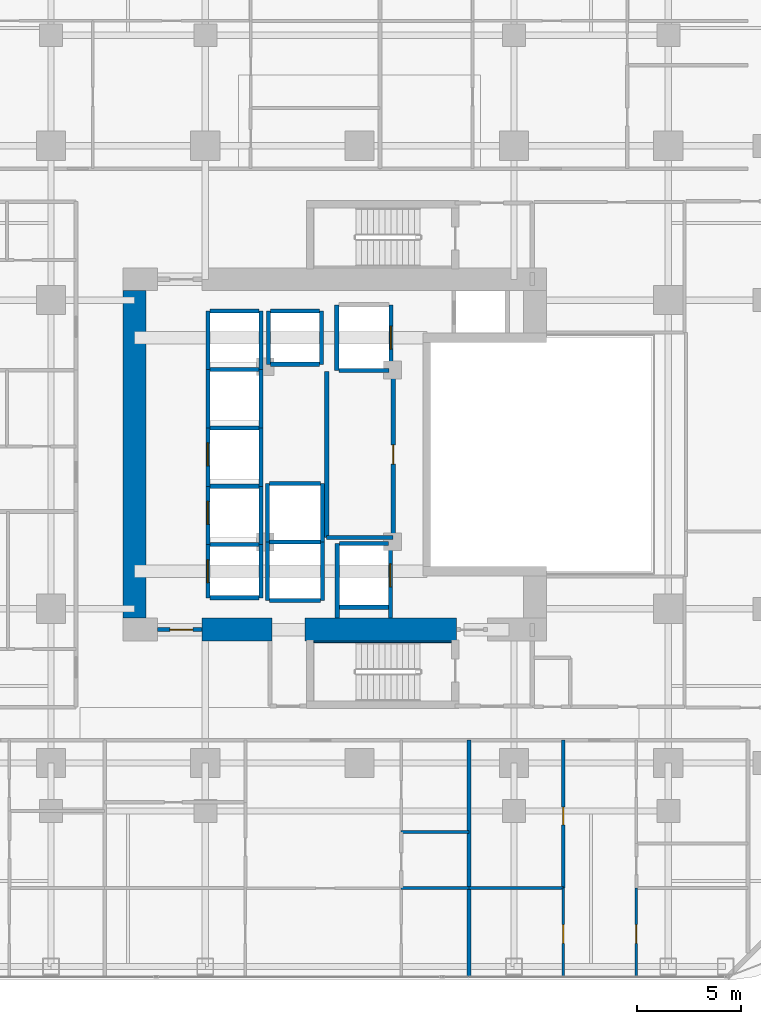
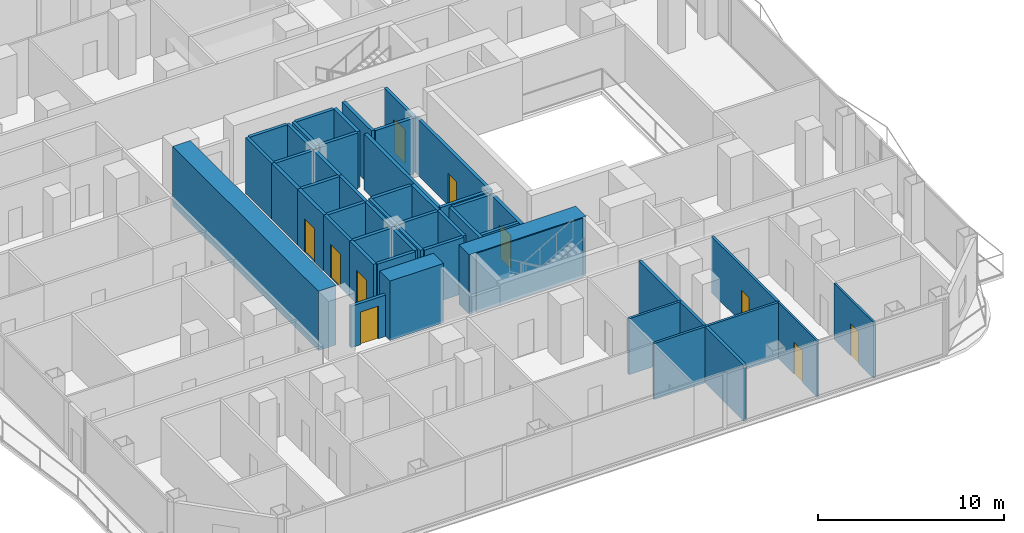
# One storey, part 21 of 29: 49 walls, 10 doors, 10 openings.
"""IFC4 building model written with IfcOpenShell, lengths in metres."""

from ifc_helpers import new_model, si_unit, direction, frame, frame_2d, origin, place, context, subcontext, project, spatial, rectangle, extrude, material, layer, layer_set, type_object, element, fill, save


model = new_model("IFC4")

# Units and contexts
model_context = context("Model", 3, precision=1e-05, world=origin(), true_north=direction((0.0, 1.0)))
body_context = subcontext(model_context, "Body", "Model", "MODEL_VIEW")
ifc_project = project(units=[si_unit("LENGTHUNIT", "METRE"), si_unit("AREAUNIT", "SQUARE_METRE"), si_unit("VOLUMEUNIT", "CUBIC_METRE"), si_unit("PLANEANGLEUNIT", "RADIAN"), si_unit("MASSUNIT", "GRAM", prefix="KILO")], contexts=[model_context])

# Site, building, storey
site_placement = place(None, origin())
site = spatial("IfcSite", under=ifc_project, at=site_placement, CompositionType="ELEMENT")
building_placement = place(site_placement, origin())
building = spatial("IfcBuilding", under=site, at=building_placement, Name="Khorvyn Point Tower", CompositionType="ELEMENT")
storey_placement = place(building_placement, frame((0.0, 0.0, 61.800048828125)))
storey = spatial("IfcBuildingStorey", under=building, at=storey_placement, Name="L16", CompositionType="ELEMENT", Elevation=61.800048828125)

# Wall
ifc_material_1 = material(Name="Double acoustic gypsum on twin steel stud", Category="steel")
ifc_layer_1 = layer(ifc_material_1, 0.179931640625)
ifc_layer_set_1 = layer_set([ifc_layer_1], Name="Acoustic Double-Stud Apartment Demising Wall 180")
wall_type_1 = type_object("IfcWallType", Name="Acoustic Double-Stud Apartment Demising Wall 180", PredefinedType="PARTITIONING", material=ifc_layer_set_1)
wall_1_placement = place(storey_placement, frame((5.241943359375, -25.030029296875, 0.0), z_axis=(0.0, 0.0, 1.0), x_axis=(0.0, 1.0, 0.0)))
element("IfcWall", 1, at=wall_1_placement, inside=storey, type_object=wall_type_1, Name="Wall", PredefinedType="PARTITIONING", context=body_context, shape_type="SweptSolid", body=[
    extrude(rectangle(XDim=11.330078125, YDim=0.179931640625, at=frame_2d((5.6650390625, 0.0))), origin(), (0.0, 0.0, 1.0), 3.679931640625),
])

# Wall, opening, door
ifc_material_2 = material(Name="Concrete C40/50", Category="concrete")
ifc_layer_2 = layer(ifc_material_2, 0.199951171875)
ifc_layer_set_2 = layer_set([ifc_layer_2], Name="Concrete C40/50 Fire-Lobby Compartment Wall 200")
wall_type_2 = type_object("IfcWallType", Name="Concrete C40/50 Fire-Lobby Compartment Wall 200", PredefinedType="SOLIDWALL", material=ifc_layer_set_2)
wall_2_placement = place(storey_placement, frame((-9.699951171875, -8.39990234375, 0.0), z_axis=(0.0, 0.0, 1.0), x_axis=(1.0, 0.0, 0.0)))
wall_2 = element("IfcWall", 2, at=wall_2_placement, inside=storey, type_object=wall_type_2, Name="Wall", PredefinedType="SOLIDWALL", context=body_context, shape_type="SweptSolid", body=[
    extrude(rectangle(XDim=2.14990234375, YDim=0.199951171875, at=frame_2d((1.074951171875, 0.0))), origin(), (0.0, 0.0, 1.0), 2.719970703125),
])
opening_1_placement = place(wall_2_placement, frame((0.597900390625, 0.0, 0.0)))
opening_1 = element("IfcOpeningElement", 3, at=opening_1_placement, cuts=wall_2, Name="Opening ID-FL90", PredefinedType="OPENING", context=body_context, shape_type="SweptSolid", body=[
    extrude(rectangle(XDim=1.10009765625, YDim=2.14990234375, at=frame_2d((0.550048828125, 1.074951171875))), frame((0.0, 0.10986328125, 0.0), z_axis=(0.0, -1.0, 0.0), x_axis=(1.0, 0.0, 0.0)), (0.0, 0.0, 1.0), 0.219970703125),
])
ifc_material_3 = material(Name="Galvanised powder-coated steel", Category="steel")
door_type_1 = type_object("IfcDoorType", Name="Fire-Rated Steel Lobby and Stair Door 1100x2150", OperationType="NOTDEFINED", PredefinedType="DOOR", material=ifc_material_3)
door_1_placement = place(opening_1_placement, origin())
door_1 = element("IfcDoor", 4, at=door_1_placement, inside=storey, type_object=door_type_1, Name="Door", OperationType="SINGLE_SWING_RIGHT", OverallHeight=2.14990234375, OverallWidth=1.10009765625, PredefinedType="DOOR", context=body_context, shape_type="SweptSolid", body=[
    extrude(rectangle(XDim=1.10009765625, YDim=2.14990234375, at=frame_2d((0.550048828125, 1.074951171875))), frame((0.0, 0.02490234375, 0.0), z_axis=(0.0, -1.0, 0.0), x_axis=(1.0, 0.0, 0.0)), (0.0, 0.0, 1.0), 0.050048828125),
])
fill(opening_1, door_1)

wall_3_placement = place(storey_placement, frame((1.610107421875, -3.97998046875, 0.0), z_axis=(0.0, 0.0, 1.0), x_axis=(0.0, 1.0, 0.0)))
wall_3 = element("IfcWall", 5, at=wall_3_placement, inside=storey, type_object=wall_type_2, Name="Wall", PredefinedType="SOLIDWALL", context=body_context, shape_type="SweptSolid", body=[
    extrude(rectangle(XDim=7.9599609375, YDim=0.199951171875, at=frame_2d((3.97998046875, 0.0))), origin(), (0.0, 0.0, 1.0), 3.679931640625),
])
opening_2_placement = place(wall_3_placement, frame((3.52001953125, 0.0, 0.0)))
opening_2 = element("IfcOpeningElement", 6, at=opening_2_placement, cuts=wall_3, Name="Opening ID-RS60", PredefinedType="OPENING", context=body_context, shape_type="SweptSolid", body=[
    extrude(rectangle(XDim=0.919921875, YDim=2.10009765625, at=frame_2d((0.4599609375, 1.050048828125))), frame((0.0, 0.10986328125, 0.0), z_axis=(0.0, -1.0, 0.0), x_axis=(1.0, 0.0, 0.0)), (0.0, 0.0, 1.0), 0.219970703125),
])
door_type_2 = type_object("IfcDoorType", Name="Fire-Rated Riser and Store Steel Door 920x2100", OperationType="NOTDEFINED", PredefinedType="DOOR", material=ifc_material_3)
door_2_placement = place(opening_2_placement, origin())
door_2 = element("IfcDoor", 7, at=door_2_placement, inside=storey, type_object=door_type_2, Name="Door", OperationType="SINGLE_SWING_LEFT", OverallHeight=2.10009765625, OverallWidth=0.919921875, PredefinedType="DOOR", context=body_context, shape_type="SweptSolid", body=[
    extrude(rectangle(XDim=0.919921875, YDim=2.10009765625, at=frame_2d((0.4599609375, 1.050048828125))), frame((0.0, 0.02490234375, 0.0), z_axis=(0.0, -1.0, 0.0), x_axis=(1.0, 0.0, 0.0)), (0.0, 0.0, 1.0), 0.050048828125),
])
fill(opening_2, door_2)

# Walls
wall_4_placement = place(storey_placement, frame((-1.580078125, -3.97998046875, 0.0), z_axis=(0.0, 0.0, 1.0), x_axis=(0.0, 1.0, 0.0)))
element("IfcWall", 8, at=wall_4_placement, inside=storey, type_object=wall_type_2, Name="Wall", PredefinedType="SOLIDWALL", context=body_context, shape_type="SweptSolid", body=[
    extrude(rectangle(XDim=7.9599609375, YDim=0.199951171875, at=frame_2d((3.97998046875, 0.0))), origin(), (0.0, 0.0, 1.0), 3.679931640625),
])
wall_5_placement = place(storey_placement, frame((-1.580078125, -3.97998046875, 0.0), z_axis=(0.0, 0.0, 1.0), x_axis=(1.0, 0.0, 0.0)))
element("IfcWall", 9, at=wall_5_placement, inside=storey, type_object=wall_type_2, Name="Wall", PredefinedType="SOLIDWALL", context=body_context, shape_type="SweptSolid", body=[
    extrude(rectangle(XDim=3.190185546875, YDim=0.199951171875, at=frame_2d((1.59521484375, 0.0))), origin(), (0.0, 0.0, 1.0), 3.679931640625),
])
ifc_layer_3 = layer(ifc_material_2, 0.25)
ifc_layer_set_3 = layer_set([ifc_layer_3], Name="Concrete C40/50 Stair Inner Cheek Structural Wall 250")
wall_type_3 = type_object("IfcWallType", Name="Concrete C40/50 Stair Inner Cheek Structural Wall 250", PredefinedType="SHEAR", material=ifc_layer_set_3)
wall_6_placement = place(storey_placement, frame((-2.199951171875, -8.987548828125, 0.0), z_axis=(0.0, 0.0, 1.0), x_axis=(1.0, 0.0, 0.0)))
element("IfcWall", 10, at=wall_6_placement, inside=storey, type_object=wall_type_3, Name="Wall", PredefinedType="SHEAR", context=body_context, shape_type="SweptSolid", body=[
    extrude(rectangle(XDim=6.599853515625, YDim=0.074951171875, at=frame_2d((3.2998046875, 0.0))), origin(), (0.0, 0.0, 1.0), 3.89990234375),
])

# Wall, opening, door
ifc_layer_4 = layer(ifc_material_2, 0.199951171875)
ifc_layer_set_4 = layer_set([ifc_layer_4], Name="Concrete C40/50 Structural Hoistway and Stair Shaft Wall 200")
wall_type_4 = type_object("IfcWallType", Name="Concrete C40/50 Structural Hoistway and Stair Shaft Wall 200", PredefinedType="SHEAR", material=ifc_layer_set_4)
wall_7_placement = place(storey_placement, frame((-7.27490234375, -6.875, 0.0), z_axis=(0.0, 0.0, 1.0), x_axis=(0.0, 1.0, 0.0)))
wall_7 = element("IfcWall", 11, at=wall_7_placement, inside=storey, type_object=wall_type_4, Name="Wall", PredefinedType="SHEAR", context=body_context, shape_type="SweptSolid", body=[
    extrude(rectangle(XDim=2.550048828125, YDim=0.199951171875, at=frame_2d((1.27490234375, 0.0))), origin(), (0.0, 0.0, 1.0), 3.679931640625),
])
opening_3_placement = place(wall_7_placement, frame((0.72509765625, 0.0, 0.0)))
opening_3 = element("IfcOpeningElement", 12, at=opening_3_placement, cuts=wall_7, Name="Opening LD-1122", PredefinedType="OPENING", context=body_context, shape_type="SweptSolid", body=[
    extrude(rectangle(XDim=1.10009765625, YDim=2.199951171875, at=frame_2d((0.550048828125, 1.10009765625))), frame((0.0, 0.10986328125, 0.0), z_axis=(0.0, -1.0, 0.0), x_axis=(1.0, 0.0, 0.0)), (0.0, 0.0, 1.0), 0.219970703125),
])
ifc_material_4 = material(Name="Stainless steel 1.4301", Category="steel")
door_type_3 = type_object("IfcDoorType", Name="Stainless Steel Automatic Sliding Lift Landing Door 1100x2200", OperationType="SLIDING_TO_LEFT", PredefinedType="DOOR", material=ifc_material_4)
door_3_placement = place(opening_3_placement, origin())
door_3 = element("IfcDoor", 13, at=door_3_placement, inside=storey, type_object=door_type_3, Name="L16 RL-01 Sliding Lift Landing Door", OperationType="SLIDING_TO_LEFT", OverallHeight=2.199951171875, OverallWidth=1.10009765625, PredefinedType="DOOR", context=body_context, shape_type="SweptSolid", body=[
    extrude(rectangle(XDim=1.10009765625, YDim=2.199951171875, at=frame_2d((0.550048828125, 1.10009765625))), frame((0.0, 0.02490234375, 0.0), z_axis=(0.0, -1.0, 0.0), x_axis=(1.0, 0.0, 0.0)), (0.0, 0.0, 1.0), 0.050048828125),
])
fill(opening_3, door_3)

# Walls
wall_8_placement = place(storey_placement, frame((-4.72509765625, -6.875, 0.0), z_axis=(0.0, 0.0, 1.0), x_axis=(0.0, 1.0, 0.0)))
element("IfcWall", 14, at=wall_8_placement, inside=storey, type_object=wall_type_4, Name="Wall", PredefinedType="SHEAR", context=body_context, shape_type="SweptSolid", body=[
    extrude(rectangle(XDim=2.550048828125, YDim=0.199951171875, at=frame_2d((1.27490234375, 0.0))), origin(), (0.0, 0.0, 1.0), 3.679931640625),
])
for number, where, z_axis, x_axis, name in (
    (15, (-7.175048828125, -6.875, 0.0), (0.0, 0.0, 1.0), (1.0, 0.0, 0.0), "Wall"),
    (16, (-7.175048828125, -4.324951171875, 0.0), (0.0, 0.0, 1.0), (1.0, 0.0, 0.0), "Wall"),
):
    element("IfcWall", number, at=place(storey_placement, frame(where, z_axis=z_axis, x_axis=x_axis)), inside=storey, type_object=wall_type_4, Name=name, PredefinedType="SHEAR", context=body_context, shape_type="SweptSolid", body=[
        extrude(rectangle(XDim=2.35009765625, YDim=0.199951171875, at=frame_2d((1.175048828125, 0.0))), origin(), (0.0, 0.0, 1.0), 3.679931640625),
    ])

# Wall, opening, door
wall_9_placement = place(storey_placement, frame((-7.27490234375, -4.324951171875, 0.0), z_axis=(0.0, 0.0, 1.0), x_axis=(0.0, 1.0, 0.0)))
wall_9 = element("IfcWall", 17, at=wall_9_placement, inside=storey, type_object=wall_type_4, Name="Wall", PredefinedType="SHEAR", context=body_context, shape_type="SweptSolid", body=[
    extrude(rectangle(XDim=2.800048828125, YDim=0.199951171875, at=frame_2d((1.39990234375, 0.0))), origin(), (0.0, 0.0, 1.0), 3.679931640625),
])
opening_4_placement = place(wall_9_placement, frame((0.97509765625, 0.0, 0.0)))
opening_4 = element("IfcOpeningElement", 18, at=opening_4_placement, cuts=wall_9, Name="Opening LD-1122", PredefinedType="OPENING", context=body_context, shape_type="SweptSolid", body=[
    extrude(rectangle(XDim=1.10009765625, YDim=2.199951171875, at=frame_2d((0.550048828125, 1.10009765625))), frame((0.0, 0.10986328125, 0.0), z_axis=(0.0, -1.0, 0.0), x_axis=(1.0, 0.0, 0.0)), (0.0, 0.0, 1.0), 0.219970703125),
])
door_4_placement = place(opening_4_placement, origin())
door_4 = element("IfcDoor", 19, at=door_4_placement, inside=storey, type_object=door_type_3, Name="L16 RL-02 Sliding Lift Landing Door", OperationType="SLIDING_TO_LEFT", OverallHeight=2.199951171875, OverallWidth=1.10009765625, PredefinedType="DOOR", context=body_context, shape_type="SweptSolid", body=[
    extrude(rectangle(XDim=1.10009765625, YDim=2.199951171875, at=frame_2d((0.550048828125, 1.10009765625))), frame((0.0, 0.02490234375, 0.0), z_axis=(0.0, -1.0, 0.0), x_axis=(1.0, 0.0, 0.0)), (0.0, 0.0, 1.0), 0.050048828125),
])
fill(opening_4, door_4)

# Walls
wall_10_placement = place(storey_placement, frame((-4.72509765625, -4.324951171875, 0.0), z_axis=(0.0, 0.0, 1.0), x_axis=(0.0, 1.0, 0.0)))
element("IfcWall", 20, at=wall_10_placement, inside=storey, type_object=wall_type_4, Name="Wall", PredefinedType="SHEAR", context=body_context, shape_type="SweptSolid", body=[
    extrude(rectangle(XDim=2.800048828125, YDim=0.199951171875, at=frame_2d((1.39990234375, 0.0))), origin(), (0.0, 0.0, 1.0), 3.679931640625),
])
wall_11_placement = place(storey_placement, frame((-7.175048828125, -1.52490234375, 0.0), z_axis=(0.0, 0.0, 1.0), x_axis=(1.0, 0.0, 0.0)))
element("IfcWall", 21, at=wall_11_placement, inside=storey, type_object=wall_type_4, Name="Wall", PredefinedType="SHEAR", context=body_context, shape_type="SweptSolid", body=[
    extrude(rectangle(XDim=2.35009765625, YDim=0.199951171875, at=frame_2d((1.175048828125, 0.0))), origin(), (0.0, 0.0, 1.0), 3.679931640625),
])

# Wall, opening, door
wall_12_placement = place(storey_placement, frame((-7.27490234375, -1.52490234375, 0.0), z_axis=(0.0, 0.0, 1.0), x_axis=(0.0, 1.0, 0.0)))
wall_12 = element("IfcWall", 22, at=wall_12_placement, inside=storey, type_object=wall_type_4, Name="Wall", PredefinedType="SHEAR", context=body_context, shape_type="SweptSolid", body=[
    extrude(rectangle(XDim=2.7998046875, YDim=0.199951171875, at=frame_2d((1.39990234375, 0.0))), origin(), (0.0, 0.0, 1.0), 3.679931640625),
])
opening_5_placement = place(wall_12_placement, frame((0.97509765625, 0.0, 0.0)))
opening_5 = element("IfcOpeningElement", 23, at=opening_5_placement, cuts=wall_12, Name="Opening LD-1122", PredefinedType="OPENING", context=body_context, shape_type="SweptSolid", body=[
    extrude(rectangle(XDim=1.10009765625, YDim=2.199951171875, at=frame_2d((0.550048828125, 1.10009765625))), frame((0.0, 0.10986328125, 0.0), z_axis=(0.0, -1.0, 0.0), x_axis=(1.0, 0.0, 0.0)), (0.0, 0.0, 1.0), 0.219970703125),
])
door_5_placement = place(opening_5_placement, origin())
door_5 = element("IfcDoor", 24, at=door_5_placement, inside=storey, type_object=door_type_3, Name="L16 RL-03 Sliding Lift Landing Door", OperationType="SLIDING_TO_LEFT", OverallHeight=2.199951171875, OverallWidth=1.10009765625, PredefinedType="DOOR", context=body_context, shape_type="SweptSolid", body=[
    extrude(rectangle(XDim=1.10009765625, YDim=2.199951171875, at=frame_2d((0.550048828125, 1.10009765625))), frame((0.0, 0.02490234375, 0.0), z_axis=(0.0, -1.0, 0.0), x_axis=(1.0, 0.0, 0.0)), (0.0, 0.0, 1.0), 0.050048828125),
])
fill(opening_5, door_5)

# Walls
wall_13_placement = place(storey_placement, frame((-4.72509765625, -1.52490234375, 0.0), z_axis=(0.0, 0.0, 1.0), x_axis=(0.0, 1.0, 0.0)))
element("IfcWall", 25, at=wall_13_placement, inside=storey, type_object=wall_type_4, Name="Wall", PredefinedType="SHEAR", context=body_context, shape_type="SweptSolid", body=[
    extrude(rectangle(XDim=2.7998046875, YDim=0.199951171875, at=frame_2d((1.39990234375, 0.0))), origin(), (0.0, 0.0, 1.0), 3.679931640625),
])
wall_14_placement = place(storey_placement, frame((-7.175048828125, 1.27490234375, 0.0), z_axis=(0.0, 0.0, 1.0), x_axis=(1.0, 0.0, 0.0)))
element("IfcWall", 26, at=wall_14_placement, inside=storey, type_object=wall_type_4, Name="Wall", PredefinedType="SHEAR", context=body_context, shape_type="SweptSolid", body=[
    extrude(rectangle(XDim=2.35009765625, YDim=0.199951171875, at=frame_2d((1.175048828125, 0.0))), origin(), (0.0, 0.0, 1.0), 3.679931640625),
])
for number, where, z_axis, x_axis, name in (
    (27, (-7.27490234375, 1.27490234375, 0.0), (0.0, 0.0, 1.0), (0.0, 1.0, 0.0), "Wall"),
    (28, (-4.72509765625, 1.27490234375, 0.0), (0.0, 0.0, 1.0), (0.0, 1.0, 0.0), "Wall"),
):
    element("IfcWall", number, at=place(storey_placement, frame(where, z_axis=z_axis, x_axis=x_axis)), inside=storey, type_object=wall_type_4, Name=name, PredefinedType="SHEAR", context=body_context, shape_type="SweptSolid", body=[
        extrude(rectangle(XDim=2.800048828125, YDim=0.199951171875, at=frame_2d((1.39990234375, 0.0))), origin(), (0.0, 0.0, 1.0), 3.679931640625),
    ])
wall_15_placement = place(storey_placement, frame((-7.175048828125, 4.074951171875, 0.0), z_axis=(0.0, 0.0, 1.0), x_axis=(1.0, 0.0, 0.0)))
element("IfcWall", 29, at=wall_15_placement, inside=storey, type_object=wall_type_4, Name="Wall", PredefinedType="SHEAR", context=body_context, shape_type="SweptSolid", body=[
    extrude(rectangle(XDim=2.35009765625, YDim=0.199951171875, at=frame_2d((1.175048828125, 0.0))), origin(), (0.0, 0.0, 1.0), 3.679931640625),
])
for number, where, z_axis, x_axis, name in (
    (30, (-7.27490234375, 4.074951171875, 0.0), (0.0, 0.0, 1.0), (0.0, 1.0, 0.0), "Wall"),
    (31, (-4.72509765625, 4.074951171875, 0.0), (0.0, 0.0, 1.0), (0.0, 1.0, 0.0), "Wall"),
):
    element("IfcWall", number, at=place(storey_placement, frame(where, z_axis=z_axis, x_axis=x_axis)), inside=storey, type_object=wall_type_4, Name=name, PredefinedType="SHEAR", context=body_context, shape_type="SweptSolid", body=[
        extrude(rectangle(XDim=2.800048828125, YDim=0.199951171875, at=frame_2d((1.39990234375, 0.0))), origin(), (0.0, 0.0, 1.0), 3.679931640625),
    ])
wall_16_placement = place(storey_placement, frame((-7.175048828125, 6.875, 0.0), z_axis=(0.0, 0.0, 1.0), x_axis=(1.0, 0.0, 0.0)))
element("IfcWall", 32, at=wall_16_placement, inside=storey, type_object=wall_type_4, Name="Wall", PredefinedType="SHEAR", context=body_context, shape_type="SweptSolid", body=[
    extrude(rectangle(XDim=2.35009765625, YDim=0.199951171875, at=frame_2d((1.175048828125, 0.0))), origin(), (0.0, 0.0, 1.0), 3.679931640625),
])
for number, where, z_axis, x_axis, name in (
    (33, (-4.375, 4.324951171875, 0.0), (0.0, 0.0, 1.0), (0.0, 1.0, 0.0), "Wall"),
    (34, (-1.824951171875, 4.324951171875, 0.0), (0.0, 0.0, 1.0), (0.0, 1.0, 0.0), "Wall"),
):
    element("IfcWall", number, at=place(storey_placement, frame(where, z_axis=z_axis, x_axis=x_axis)), inside=storey, type_object=wall_type_4, Name=name, PredefinedType="SHEAR", context=body_context, shape_type="SweptSolid", body=[
        extrude(rectangle(XDim=2.550048828125, YDim=0.199951171875, at=frame_2d((1.27490234375, 0.0))), origin(), (0.0, 0.0, 1.0), 3.679931640625),
    ])
for number, where, z_axis, x_axis, name in (
    (35, (-4.27490234375, 4.324951171875, 0.0), (0.0, 0.0, 1.0), (1.0, 0.0, 0.0), "Wall"),
    (36, (-4.27490234375, 6.875, 0.0), (0.0, 0.0, 1.0), (1.0, 0.0, 0.0), "Wall"),
):
    element("IfcWall", number, at=place(storey_placement, frame(where, z_axis=z_axis, x_axis=x_axis)), inside=storey, type_object=wall_type_4, Name=name, PredefinedType="SHEAR", context=body_context, shape_type="SweptSolid", body=[
        extrude(rectangle(XDim=2.349853515625, YDim=0.199951171875, at=frame_2d((1.1748046875, 0.0))), origin(), (0.0, 0.0, 1.0), 3.679931640625),
    ])
for number, where, z_axis, x_axis, name in (
    (37, (-4.425048828125, -7.0, 0.0), (0.0, 0.0, 1.0), (0.0, 1.0, 0.0), "Wall"),
    (38, (-1.77490234375, -7.0, 0.0), (0.0, 0.0, 1.0), (0.0, 1.0, 0.0), "Wall"),
):
    element("IfcWall", number, at=place(storey_placement, frame(where, z_axis=z_axis, x_axis=x_axis)), inside=storey, type_object=wall_type_4, Name=name, PredefinedType="SHEAR", context=body_context, shape_type="SweptSolid", body=[
        extrude(rectangle(XDim=2.800048828125, YDim=0.199951171875, at=frame_2d((1.39990234375, 0.0))), origin(), (0.0, 0.0, 1.0), 3.679931640625),
    ])
for number, where, z_axis, x_axis, name in (
    (39, (-4.324951171875, -7.0, 0.0), (0.0, 0.0, 1.0), (1.0, 0.0, 0.0), "Wall"),
    (40, (-4.324951171875, -4.199951171875, 0.0), (0.0, 0.0, 1.0), (1.0, 0.0, 0.0), "Wall"),
):
    element("IfcWall", number, at=place(storey_placement, frame(where, z_axis=z_axis, x_axis=x_axis)), inside=storey, type_object=wall_type_4, Name=name, PredefinedType="SHEAR", context=body_context, shape_type="SweptSolid", body=[
        extrude(rectangle(XDim=2.449951171875, YDim=0.199951171875, at=frame_2d((1.22509765625, 0.0))), origin(), (0.0, 0.0, 1.0), 3.679931640625),
    ])
for number, where, z_axis, x_axis, name in (
    (41, (-4.425048828125, -4.199951171875, 0.0), (0.0, 0.0, 1.0), (0.0, 1.0, 0.0), "Wall"),
    (42, (-1.77490234375, -4.199951171875, 0.0), (0.0, 0.0, 1.0), (0.0, 1.0, 0.0), "Wall"),
):
    element("IfcWall", number, at=place(storey_placement, frame(where, z_axis=z_axis, x_axis=x_axis)), inside=storey, type_object=wall_type_4, Name=name, PredefinedType="SHEAR", context=body_context, shape_type="SweptSolid", body=[
        extrude(rectangle(XDim=2.800048828125, YDim=0.199951171875, at=frame_2d((1.39990234375, 0.0))), origin(), (0.0, 0.0, 1.0), 3.679931640625),
    ])
wall_17_placement = place(storey_placement, frame((-4.324951171875, -1.39990234375, 0.0), z_axis=(0.0, 0.0, 1.0), x_axis=(1.0, 0.0, 0.0)))
element("IfcWall", 43, at=wall_17_placement, inside=storey, type_object=wall_type_4, Name="Wall", PredefinedType="SHEAR", context=body_context, shape_type="SweptSolid", body=[
    extrude(rectangle(XDim=2.449951171875, YDim=0.199951171875, at=frame_2d((1.22509765625, 0.0))), origin(), (0.0, 0.0, 1.0), 3.679931640625),
])
wall_18_placement = place(storey_placement, frame((-1.10009765625, 4.02490234375, 0.0), z_axis=(0.0, 0.0, 1.0), x_axis=(0.0, 1.0, 0.0)))
element("IfcWall", 44, at=wall_18_placement, inside=storey, type_object=wall_type_4, Name="Wall", PredefinedType="SHEAR", context=body_context, shape_type="SweptSolid", body=[
    extrude(rectangle(XDim=3.150146484375, YDim=0.199951171875, at=frame_2d((1.5751953125, 0.0))), origin(), (0.0, 0.0, 1.0), 3.679931640625),
])

# Wall, opening, door
wall_19_placement = place(storey_placement, frame((1.5, 4.02490234375, 0.0), z_axis=(0.0, 0.0, 1.0), x_axis=(0.0, 1.0, 0.0)))
wall_19 = element("IfcWall", 45, at=wall_19_placement, inside=storey, type_object=wall_type_4, Name="Wall", PredefinedType="SHEAR", context=body_context, shape_type="SweptSolid", body=[
    extrude(rectangle(XDim=3.150146484375, YDim=0.199951171875, at=frame_2d((1.5751953125, 0.0))), origin(), (0.0, 0.0, 1.0), 3.679931640625),
])
opening_6_placement = place(wall_19_placement, frame((1.02490234375, 0.0, 0.0)))
opening_6 = element("IfcOpeningElement", 46, at=opening_6_placement, cuts=wall_19, Name="Opening LD-1122", PredefinedType="OPENING", context=body_context, shape_type="SweptSolid", body=[
    extrude(rectangle(XDim=1.10009765625, YDim=2.199951171875, at=frame_2d((0.550048828125, 1.10009765625))), frame((0.0, 0.10986328125, 0.0), z_axis=(0.0, -1.0, 0.0), x_axis=(1.0, 0.0, 0.0)), (0.0, 0.0, 1.0), 0.219970703125),
])
door_6_placement = place(opening_6_placement, origin())
door_6 = element("IfcDoor", 47, at=door_6_placement, inside=storey, type_object=door_type_3, Name="L16 SV-01 Sliding Lift Landing Door", OperationType="SLIDING_TO_LEFT", OverallHeight=2.199951171875, OverallWidth=1.10009765625, PredefinedType="DOOR", context=body_context, shape_type="SweptSolid", body=[
    extrude(rectangle(XDim=1.10009765625, YDim=2.199951171875, at=frame_2d((0.550048828125, 1.10009765625))), frame((0.0, 0.02490234375, 0.0), z_axis=(0.0, -1.0, 0.0), x_axis=(1.0, 0.0, 0.0)), (0.0, 0.0, 1.0), 0.050048828125),
])
fill(opening_6, door_6)

# Walls
wall_20_placement = place(storey_placement, frame((-1.0, 4.02490234375, 0.0), z_axis=(0.0, 0.0, 1.0), x_axis=(1.0, 0.0, 0.0)))
element("IfcWall", 48, at=wall_20_placement, inside=storey, type_object=wall_type_4, Name="Wall", PredefinedType="SHEAR", context=body_context, shape_type="SweptSolid", body=[
    extrude(rectangle(XDim=2.39990234375, YDim=0.199951171875, at=frame_2d((1.199951171875, 0.0))), origin(), (0.0, 0.0, 1.0), 3.679931640625),
])
wall_21_placement = place(storey_placement, frame((-1.074951171875, -7.85009765625, 0.0), z_axis=(0.0, 0.0, 1.0), x_axis=(0.0, 1.0, 0.0)))
element("IfcWall", 49, at=wall_21_placement, inside=storey, type_object=wall_type_4, Name="Wall", PredefinedType="SHEAR", context=body_context, shape_type="SweptSolid", body=[
    extrude(rectangle(XDim=3.5751953125, YDim=0.199951171875, at=frame_2d((1.78759765625, 0.0))), origin(), (0.0, 0.0, 1.0), 3.679931640625),
])

# Wall, opening, door
wall_22_placement = place(storey_placement, frame((1.47509765625, -7.85009765625, 0.0), z_axis=(0.0, 0.0, 1.0), x_axis=(0.0, 1.0, 0.0)))
wall_22 = element("IfcWall", 50, at=wall_22_placement, inside=storey, type_object=wall_type_4, Name="Wall", PredefinedType="SHEAR", context=body_context, shape_type="SweptSolid", body=[
    extrude(rectangle(XDim=3.5751953125, YDim=0.199951171875, at=frame_2d((1.78759765625, 0.0))), origin(), (0.0, 0.0, 1.0), 3.679931640625),
])
opening_7_placement = place(wall_22_placement, frame((1.5, 0.0, 0.0)))
opening_7 = element("IfcOpeningElement", 51, at=opening_7_placement, cuts=wall_22, Name="Opening LD-1122", PredefinedType="OPENING", context=body_context, shape_type="SweptSolid", body=[
    extrude(rectangle(XDim=1.10009765625, YDim=2.199951171875, at=frame_2d((0.550048828125, 1.10009765625))), frame((0.0, 0.10986328125, 0.0), z_axis=(0.0, -1.0, 0.0), x_axis=(1.0, 0.0, 0.0)), (0.0, 0.0, 1.0), 0.219970703125),
])
door_7_placement = place(opening_7_placement, origin())
door_7 = element("IfcDoor", 52, at=door_7_placement, inside=storey, type_object=door_type_3, Name="L16 FF-01 Sliding Lift Landing Door", OperationType="SLIDING_TO_LEFT", OverallHeight=2.199951171875, OverallWidth=1.10009765625, PredefinedType="DOOR", context=body_context, shape_type="SweptSolid", body=[
    extrude(rectangle(XDim=1.10009765625, YDim=2.199951171875, at=frame_2d((0.550048828125, 1.10009765625))), frame((0.0, 0.02490234375, 0.0), z_axis=(0.0, -1.0, 0.0), x_axis=(1.0, 0.0, 0.0)), (0.0, 0.0, 1.0), 0.050048828125),
])
fill(opening_7, door_7)

# Walls
for number, where, z_axis, x_axis, name in (
    (53, (-0.97509765625, -7.324951171875, 0.0), (0.0, 0.0, 1.0), (1.0, 0.0, 0.0), "Wall"),
    (54, (-0.97509765625, -4.27490234375, 0.0), (0.0, 0.0, 1.0), (1.0, 0.0, 0.0), "Wall"),
):
    element("IfcWall", number, at=place(storey_placement, frame(where, z_axis=z_axis, x_axis=x_axis)), inside=storey, type_object=wall_type_4, Name=name, PredefinedType="SHEAR", context=body_context, shape_type="SweptSolid", body=[
        extrude(rectangle(XDim=2.35009765625, YDim=0.199951171875, at=frame_2d((1.175048828125, 0.0))), origin(), (0.0, 0.0, 1.0), 3.679931640625),
    ])
ifc_material_5 = material(Name="Concrete C50/60", Category="concrete")
ifc_layer_5 = layer(ifc_material_5, 1.10009765625)
ifc_layer_set_5 = layer_set([ifc_layer_5], Name="Concrete C50/60 Core Shear Wall 1100")
wall_type_5 = type_object("IfcWallType", Name="Concrete C50/60 Core Shear Wall 1100", PredefinedType="SHEAR", material=ifc_layer_set_5)
wall_23_placement = place(storey_placement, frame((-7.550048828125, -8.39990234375, 0.0), z_axis=(0.0, 0.0, 1.0), x_axis=(1.0, 0.0, 0.0)))
element("IfcWall", 55, at=wall_23_placement, inside=storey, type_object=wall_type_5, Name="Wall", PredefinedType="SHEAR", context=body_context, shape_type="SweptSolid", body=[
    extrude(rectangle(XDim=3.35009765625, YDim=1.10009765625, at=frame_2d((1.675048828125, 0.0))), origin(), (0.0, 0.0, 1.0), 3.89990234375),
])
wall_24_placement = place(storey_placement, frame((-2.6201171875, -8.39990234375, 0.0), z_axis=(0.0, 0.0, 1.0), x_axis=(1.0, 0.0, 0.0)))
element("IfcWall", 56, at=wall_24_placement, inside=storey, type_object=wall_type_5, Name="Wall", PredefinedType="SHEAR", context=body_context, shape_type="SweptSolid", body=[
    extrude(rectangle(XDim=7.27001953125, YDim=1.10009765625, at=frame_2d((3.635009765625, 0.0))), origin(), (0.0, 0.0, 1.0), 3.89990234375),
])
wall_25_placement = place(storey_placement, frame((-10.800048828125, -7.85009765625, 0.0), z_axis=(0.0, 0.0, 1.0), x_axis=(0.0, 1.0, 0.0)))
element("IfcWall", 57, at=wall_25_placement, inside=storey, type_object=wall_type_5, Name="Wall", PredefinedType="SHEAR", context=body_context, shape_type="SweptSolid", body=[
    extrude(rectangle(XDim=15.7001953125, YDim=1.10009765625, at=frame_2d((7.85009765625, 0.0))), origin(), (0.0, 0.0, 1.0), 3.89990234375),
])

# Wall, opening, door
ifc_material_6 = material(Name="Gypsum plasterboard on steel stud", Category="steel")
ifc_layer_6 = layer(ifc_material_6, 0.1201171875)
ifc_layer_set_6 = layer_set([ifc_layer_6], Name="Gypsum Acoustic Stud Room Partition Wall 120")
wall_type_6 = type_object("IfcWallType", Name="Gypsum Acoustic Stud Room Partition Wall 120", PredefinedType="PARTITIONING", material=ifc_layer_set_6)
wall_26_placement = place(storey_placement, frame((9.763916015625, -25.030029296875, 0.0), z_axis=(0.0, 0.0, 1.0), x_axis=(0.0, 1.0, 0.0)))
wall_26 = element("IfcWall", 58, at=wall_26_placement, inside=storey, type_object=wall_type_6, Name="Wall", PredefinedType="PARTITIONING", context=body_context, shape_type="SweptSolid", body=[
    extrude(rectangle(XDim=4.239990234375, YDim=0.1201171875, at=frame_2d((2.1201171875, 0.0))), origin(), (0.0, 0.0, 1.0), 3.679931640625),
])
opening_8_placement = place(wall_26_placement, frame((1.581298828125, 0.0, 0.0)))
opening_8 = element("IfcOpeningElement", 59, at=opening_8_placement, cuts=wall_26, Name="Opening ID-RM90", PredefinedType="OPENING", context=body_context, shape_type="SweptSolid", body=[
    extrude(rectangle(XDim=0.89990234375, YDim=2.10009765625, at=frame_2d((0.449951171875, 1.050048828125))), frame((0.0, 0.070068359375, 0.0), z_axis=(0.0, -1.0, 0.0), x_axis=(1.0, 0.0, 0.0)), (0.0, 0.0, 1.0), 0.14013671875),
])
ifc_material_7 = material(Name="Engineered oak veneer timber", Category="wood")
door_type_4 = type_object("IfcDoorType", Name="Flush Engineered Timber Room Door 900x2100", OperationType="NOTDEFINED", PredefinedType="DOOR", material=ifc_material_7)
door_8_placement = place(opening_8_placement, origin())
door_8 = element("IfcDoor", 60, at=door_8_placement, inside=storey, type_object=door_type_4, Name="Door", OperationType="SINGLE_SWING_LEFT", OverallHeight=2.10009765625, OverallWidth=0.89990234375, PredefinedType="DOOR", context=body_context, shape_type="SweptSolid", body=[
    extrude(rectangle(XDim=0.89990234375, YDim=2.10009765625, at=frame_2d((0.449951171875, 1.050048828125))), frame((0.0, 0.02490234375, 0.0), z_axis=(0.0, -1.0, 0.0), x_axis=(1.0, 0.0, 0.0)), (0.0, 0.0, 1.0), 0.050048828125),
])
fill(opening_8, door_8)

wall_27_placement = place(storey_placement, frame((13.26904296875, -25.030029296875, 0.0), z_axis=(0.0, 0.0, 1.0), x_axis=(0.0, 1.0, 0.0)))
wall_27 = element("IfcWall", 61, at=wall_27_placement, inside=storey, type_object=wall_type_6, Name="Wall", PredefinedType="PARTITIONING", context=body_context, shape_type="SweptSolid", body=[
    extrude(rectangle(XDim=4.239990234375, YDim=0.1201171875, at=frame_2d((2.1201171875, 0.0))), origin(), (0.0, 0.0, 1.0), 3.679931640625),
])
opening_9_placement = place(wall_27_placement, frame((1.581298828125, 0.0, 0.0)))
opening_9 = element("IfcOpeningElement", 62, at=opening_9_placement, cuts=wall_27, Name="Opening ID-RM90", PredefinedType="OPENING", context=body_context, shape_type="SweptSolid", body=[
    extrude(rectangle(XDim=0.89990234375, YDim=2.10009765625, at=frame_2d((0.449951171875, 1.050048828125))), frame((0.0, 0.070068359375, 0.0), z_axis=(0.0, -1.0, 0.0), x_axis=(1.0, 0.0, 0.0)), (0.0, 0.0, 1.0), 0.14013671875),
])
door_9_placement = place(opening_9_placement, origin())
door_9 = element("IfcDoor", 63, at=door_9_placement, inside=storey, type_object=door_type_4, Name="Door", OperationType="SINGLE_SWING_RIGHT", OverallHeight=2.10009765625, OverallWidth=0.89990234375, PredefinedType="DOOR", context=body_context, shape_type="SweptSolid", body=[
    extrude(rectangle(XDim=0.89990234375, YDim=2.10009765625, at=frame_2d((0.449951171875, 1.050048828125))), frame((0.0, 0.02490234375, 0.0), z_axis=(0.0, -1.0, 0.0), x_axis=(1.0, 0.0, 0.0)), (0.0, 0.0, 1.0), 0.050048828125),
])
fill(opening_9, door_9)

ifc_material_8 = material(Name="Moisture-resistant gypsum and cement board", Category="gypsum")
ifc_layer_7 = layer(ifc_material_8, 0.14990234375)
ifc_layer_set_7 = layer_set([ifc_layer_7], Name="Moisture-Resistant Wet-Room Partition Wall 150")
wall_type_7 = type_object("IfcWallType", Name="Moisture-Resistant Wet-Room Partition Wall 150", PredefinedType="PARTITIONING", material=ifc_layer_set_7)
wall_28_placement = place(storey_placement, frame((9.763916015625, -20.7900390625, 0.0), z_axis=(0.0, 0.0, 1.0), x_axis=(0.0, 1.0, 0.0)))
wall_28 = element("IfcWall", 64, at=wall_28_placement, inside=storey, type_object=wall_type_7, Name="Wall", PredefinedType="PARTITIONING", context=body_context, shape_type="SweptSolid", body=[
    extrude(rectangle(XDim=7.090087890625, YDim=0.14990234375, at=frame_2d((3.544921875, 0.0))), origin(), (0.0, 0.0, 1.0), 3.679931640625),
])
opening_10_placement = place(wall_28_placement, frame((3.0302734375, 0.0, 0.0)))
opening_10 = element("IfcOpeningElement", 65, at=opening_10_placement, cuts=wall_28, Name="Opening ID-WC85", PredefinedType="OPENING", context=body_context, shape_type="SweptSolid", body=[
    extrude(rectangle(XDim=0.85009765625, YDim=2.10009765625, at=frame_2d((0.425048828125, 1.050048828125))), frame((0.0, 0.0849609375, 0.0), z_axis=(0.0, -1.0, 0.0), x_axis=(1.0, 0.0, 0.0)), (0.0, 0.0, 1.0), 0.169921875),
])
ifc_material_9 = material(Name="High-pressure laminate on moisture-resistant core", Category="wood")
door_type_5 = type_object("IfcDoorType", Name="Moisture-Resistant Accessible Washroom Door 850x2100", OperationType="NOTDEFINED", PredefinedType="DOOR", material=ifc_material_9)
door_10_placement = place(opening_10_placement, origin())
door_10 = element("IfcDoor", 66, at=door_10_placement, inside=storey, type_object=door_type_5, Name="Door", OperationType="SINGLE_SWING_RIGHT", OverallHeight=2.10009765625, OverallWidth=0.85009765625, PredefinedType="DOOR", context=body_context, shape_type="SweptSolid", body=[
    extrude(rectangle(XDim=0.85009765625, YDim=2.10009765625, at=frame_2d((0.425048828125, 1.050048828125))), frame((0.0, 0.02490234375, 0.0), z_axis=(0.0, -1.0, 0.0), x_axis=(1.0, 0.0, 0.0)), (0.0, 0.0, 1.0), 0.050048828125),
])
fill(opening_10, door_10)

# Walls
for number, where, z_axis, x_axis, name in (
    (67, (1.993896484375, -18.095947265625, 0.0), (0.0, 0.0, 1.0), (1.0, 0.0, 0.0), "Wall"),
    (68, (1.993896484375, -20.7900390625, 0.0), (0.0, 0.0, 1.0), (1.0, 0.0, 0.0), "Wall"),
):
    element("IfcWall", number, at=place(storey_placement, frame(where, z_axis=z_axis, x_axis=x_axis)), inside=storey, type_object=wall_type_7, Name=name, PredefinedType="PARTITIONING", context=body_context, shape_type="SweptSolid", body=[
        extrude(rectangle(XDim=3.248046875, YDim=0.14990234375, at=frame_2d((1.6240234375, 0.0))), origin(), (0.0, 0.0, 1.0), 3.679931640625),
    ])
wall_29_placement = place(storey_placement, frame((5.241943359375, -20.7900390625, 0.0), z_axis=(0.0, 0.0, 1.0), x_axis=(1.0, 0.0, 0.0)))
element("IfcWall", 69, at=wall_29_placement, inside=storey, type_object=wall_type_7, Name="Wall", PredefinedType="PARTITIONING", context=body_context, shape_type="SweptSolid", body=[
    extrude(rectangle(XDim=4.52197265625, YDim=0.14990234375, at=frame_2d((2.260986328125, 0.0))), origin(), (0.0, 0.0, 1.0), 3.679931640625),
])

save(model, "model.ifc")
